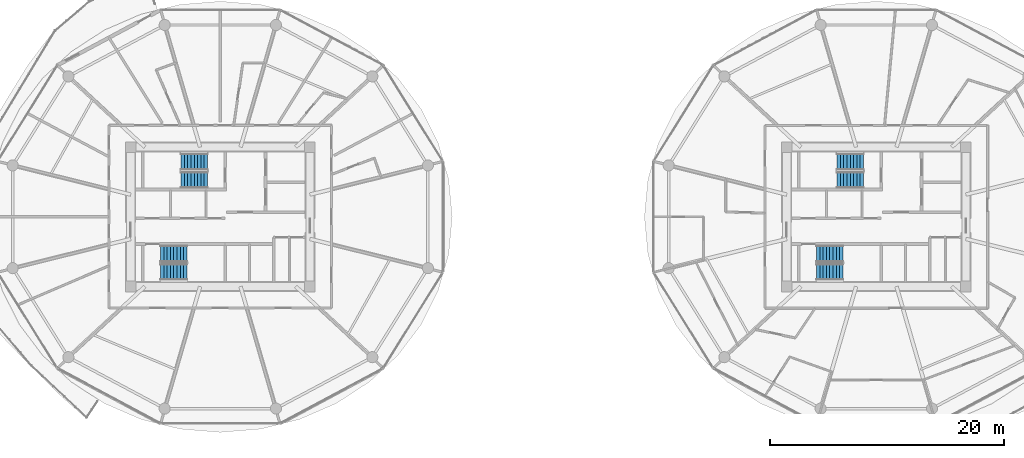
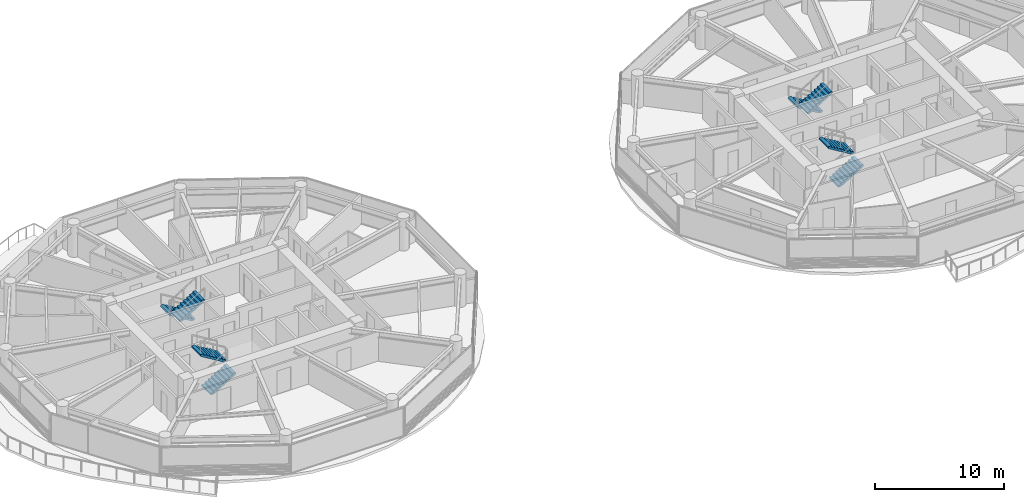
# One storey, part 22 of 27: 8 stair flights, 4 elements without a shape of their own.
"""IFC4 building model written with IfcOpenShell, lengths in metres."""

from ifc_helpers import new_model, si_unit, direction, frame, origin, place, context, subcontext, project, spatial, polyline, outline, extrude, material, type_object, element, aggregate, save


model = new_model("IFC4")

# Units and contexts
model_context = context("Model", 3, precision=1e-05, world=origin(), true_north=direction((0.0, 1.0)))
body_context = subcontext(model_context, "Body", "Model", "MODEL_VIEW")
ifc_project = project(units=[si_unit("LENGTHUNIT", "METRE"), si_unit("AREAUNIT", "SQUARE_METRE"), si_unit("VOLUMEUNIT", "CUBIC_METRE"), si_unit("PLANEANGLEUNIT", "RADIAN"), si_unit("MASSUNIT", "GRAM", prefix="KILO")], contexts=[model_context])

# Site, building, storey
site_placement = place(None, origin())
site = spatial("IfcSite", under=ifc_project, at=site_placement, CompositionType="ELEMENT")
building_placement = place(site_placement, origin())
building = spatial("IfcBuilding", under=site, at=building_placement, Name="Norrkilde Senior Care Towers", CompositionType="ELEMENT")
storey_placement = place(building_placement, frame((0.0, 0.0, 33.800048828125)))
storey = spatial("IfcBuildingStorey", under=building, at=storey_placement, Name="L09", CompositionType="ELEMENT", Elevation=33.800048828125)

# Stair, stair flights
ifc_material = material(Name="Concrete C45/55", Category="concrete")
stair_type = type_object("IfcStairType", Name="Core Protected Dogleg Stair Typical 3050", PredefinedType="HALF_TURN_STAIR", material=ifc_material)
stair_1_placement = place(storey_placement, origin())
stair_1 = element("IfcStair", 1, at=stair_1_placement, inside=storey, type_object=stair_type, Name="L09 Protected Core Stair W1", PredefinedType="HALF_TURN_STAIR")
stair_flight_type = type_object("IfcStairFlightType", Name="Core Protected Dogleg Stair Typical 3050 Flight", PredefinedType="STRAIGHT", material=ifc_material)
stair_flight_1_placement = place(storey_placement, frame((-29.10009765625, 4.699951171875, 0.0), z_axis=(0.0, 0.0, 1.0), x_axis=(-1.0, 0.0, 0.0)))
stair_flight_1 = element("IfcStairFlight", 2, at=stair_flight_1_placement, type_object=stair_flight_type, Name="ST-W1 flight 1", NumberOfRisers=9, NumberOfTreads=8, PredefinedType="STRAIGHT", RiserHeight=0.169444444, TreadLength=0.28, context=body_context, shape_type="SweptSolid", body=[
    extrude(outline(polyline([(0.0, 0.0), (0.0, 0.16943359375), (0.280029296875, 0.16943359375), (0.280029296875, 0.3388671875), (0.56005859375, 0.3388671875), (0.56005859375, 0.50830078125), (0.840087890625, 0.50830078125), (0.840087890625, 0.677734375), (1.1201171875, 0.677734375), (1.1201171875, 0.84716796875), (1.39990234375, 0.84716796875), (1.39990234375, 1.0166015625), (1.679931640625, 1.0166015625), (1.679931640625, 1.18603515625), (1.9599609375, 1.18603515625), (1.9599609375, 1.35546875), (2.239990234375, 1.35546875), (2.239990234375, 1.52490234375), (2.239990234375, 1.180419921875), (0.28955078125, 0.0), (0.0, 0.0)])), frame((0.0, 0.699951171875, 0.0), z_axis=(0.0, -1.0, 0.0), x_axis=(1.0, 0.0, 0.0)), (0.0, 0.0, 1.0), 1.39990234375),
])
stair_flight_2_placement = place(storey_placement, frame((-31.340087890625, 3.14990234375, 1.52490234375), z_axis=(0.0, 0.0, 1.0), x_axis=(1.0, 0.0, 0.0)))
stair_flight_2 = element("IfcStairFlight", 3, at=stair_flight_2_placement, type_object=stair_flight_type, Name="ST-W1 flight 2", NumberOfRisers=9, NumberOfTreads=8, PredefinedType="STRAIGHT", RiserHeight=0.169444444, TreadLength=0.28, context=body_context, shape_type="SweptSolid", body=[
    extrude(outline(polyline([(0.0, 0.0), (0.0, 0.16943359375), (0.280029296875, 0.16943359375), (0.280029296875, 0.3388671875), (0.56005859375, 0.3388671875), (0.56005859375, 0.50830078125), (0.840087890625, 0.50830078125), (0.840087890625, 0.677734375), (1.1201171875, 0.677734375), (1.1201171875, 0.84716796875), (1.39990234375, 0.84716796875), (1.39990234375, 1.0166015625), (1.679931640625, 1.0166015625), (1.679931640625, 1.18603515625), (1.9599609375, 1.18603515625), (1.9599609375, 1.35546875), (2.239990234375, 1.35546875), (2.239990234375, 1.52490234375), (2.239990234375, 1.180419921875), (0.28955078125, 0.0), (0.0, 0.0)])), frame((0.0, 0.699951171875, 0.0), z_axis=(0.0, -1.0, 0.0), x_axis=(1.0, 0.0, 0.0)), (0.0, 0.0, 1.0), 1.39990234375),
])
aggregate(stair_1, [stair_flight_1, stair_flight_2])

stair_2_placement = place(storey_placement, origin())
stair_2 = element("IfcStair", 4, at=stair_2_placement, inside=storey, type_object=stair_type, Name="L09 Protected Core Stair W2", PredefinedType="HALF_TURN_STAIR")
stair_flight_3_placement = place(storey_placement, frame((-33.10009765625, -4.699951171875, 0.0), z_axis=(0.0, 0.0, 1.0), x_axis=(1.0, 0.0, 0.0)))
stair_flight_3 = element("IfcStairFlight", 5, at=stair_flight_3_placement, type_object=stair_flight_type, Name="ST-W2 flight 1", NumberOfRisers=9, NumberOfTreads=8, PredefinedType="STRAIGHT", RiserHeight=0.169444444, TreadLength=0.28, context=body_context, shape_type="SweptSolid", body=[
    extrude(outline(polyline([(0.0, 0.0), (0.0, 0.16943359375), (0.280029296875, 0.16943359375), (0.280029296875, 0.3388671875), (0.56005859375, 0.3388671875), (0.56005859375, 0.50830078125), (0.840087890625, 0.50830078125), (0.840087890625, 0.677734375), (1.1201171875, 0.677734375), (1.1201171875, 0.84716796875), (1.39990234375, 0.84716796875), (1.39990234375, 1.0166015625), (1.679931640625, 1.0166015625), (1.679931640625, 1.18603515625), (1.9599609375, 1.18603515625), (1.9599609375, 1.35546875), (2.239990234375, 1.35546875), (2.239990234375, 1.52490234375), (2.239990234375, 1.180419921875), (0.28955078125, 0.0), (0.0, 0.0)])), frame((0.0, 0.699951171875, 0.0), z_axis=(0.0, -1.0, 0.0), x_axis=(1.0, 0.0, 0.0)), (0.0, 0.0, 1.0), 1.39990234375),
])
stair_flight_4_placement = place(storey_placement, frame((-30.860107421875, -3.14990234375, 1.52490234375), z_axis=(0.0, 0.0, 1.0), x_axis=(-1.0, 0.0, 0.0)))
stair_flight_4 = element("IfcStairFlight", 6, at=stair_flight_4_placement, type_object=stair_flight_type, Name="ST-W2 flight 2", NumberOfRisers=9, NumberOfTreads=8, PredefinedType="STRAIGHT", RiserHeight=0.169444444, TreadLength=0.28, context=body_context, shape_type="SweptSolid", body=[
    extrude(outline(polyline([(0.0, 0.0), (0.0, 0.16943359375), (0.280029296875, 0.16943359375), (0.280029296875, 0.3388671875), (0.56005859375, 0.3388671875), (0.56005859375, 0.50830078125), (0.840087890625, 0.50830078125), (0.840087890625, 0.677734375), (1.1201171875, 0.677734375), (1.1201171875, 0.84716796875), (1.39990234375, 0.84716796875), (1.39990234375, 1.0166015625), (1.679931640625, 1.0166015625), (1.679931640625, 1.18603515625), (1.9599609375, 1.18603515625), (1.9599609375, 1.35546875), (2.239990234375, 1.35546875), (2.239990234375, 1.52490234375), (2.239990234375, 1.180419921875), (0.28955078125, 0.0), (0.0, 0.0)])), frame((0.0, 0.699951171875, 0.0), z_axis=(0.0, -1.0, 0.0), x_axis=(1.0, 0.0, 0.0)), (0.0, 0.0, 1.0), 1.39990234375),
])
aggregate(stair_2, [stair_flight_3, stair_flight_4])

stair_3_placement = place(storey_placement, origin())
stair_3 = element("IfcStair", 7, at=stair_3_placement, inside=storey, type_object=stair_type, Name="L09 Protected Core Stair E1", PredefinedType="HALF_TURN_STAIR")
stair_flight_5_placement = place(storey_placement, frame((26.89990234375, 4.699951171875, 0.0), z_axis=(0.0, 0.0, 1.0), x_axis=(-1.0, 0.0, 0.0)))
stair_flight_5 = element("IfcStairFlight", 8, at=stair_flight_5_placement, type_object=stair_flight_type, Name="ST-E1 flight 1", NumberOfRisers=9, NumberOfTreads=8, PredefinedType="STRAIGHT", RiserHeight=0.169444444, TreadLength=0.28, context=body_context, shape_type="SweptSolid", body=[
    extrude(outline(polyline([(0.0, 0.0), (0.0, 0.16943359375), (0.280029296875, 0.16943359375), (0.280029296875, 0.3388671875), (0.56005859375, 0.3388671875), (0.56005859375, 0.50830078125), (0.840087890625, 0.50830078125), (0.840087890625, 0.677734375), (1.1201171875, 0.677734375), (1.1201171875, 0.84716796875), (1.39990234375, 0.84716796875), (1.39990234375, 1.0166015625), (1.679931640625, 1.0166015625), (1.679931640625, 1.18603515625), (1.9599609375, 1.18603515625), (1.9599609375, 1.35546875), (2.239990234375, 1.35546875), (2.239990234375, 1.52490234375), (2.239990234375, 1.180419921875), (0.28955078125, 0.0), (0.0, 0.0)])), frame((0.0, 0.699951171875, 0.0), z_axis=(0.0, -1.0, 0.0), x_axis=(1.0, 0.0, 0.0)), (0.0, 0.0, 1.0), 1.39990234375),
])
stair_flight_6_placement = place(storey_placement, frame((24.659912109375, 3.14990234375, 1.52490234375), z_axis=(0.0, 0.0, 1.0), x_axis=(1.0, 0.0, 0.0)))
stair_flight_6 = element("IfcStairFlight", 9, at=stair_flight_6_placement, type_object=stair_flight_type, Name="ST-E1 flight 2", NumberOfRisers=9, NumberOfTreads=8, PredefinedType="STRAIGHT", RiserHeight=0.169444444, TreadLength=0.28, context=body_context, shape_type="SweptSolid", body=[
    extrude(outline(polyline([(0.0, 0.0), (0.0, 0.16943359375), (0.280029296875, 0.16943359375), (0.280029296875, 0.3388671875), (0.56005859375, 0.3388671875), (0.56005859375, 0.50830078125), (0.840087890625, 0.50830078125), (0.840087890625, 0.677734375), (1.1201171875, 0.677734375), (1.1201171875, 0.84716796875), (1.39990234375, 0.84716796875), (1.39990234375, 1.0166015625), (1.679931640625, 1.0166015625), (1.679931640625, 1.18603515625), (1.9599609375, 1.18603515625), (1.9599609375, 1.35546875), (2.239990234375, 1.35546875), (2.239990234375, 1.52490234375), (2.239990234375, 1.180419921875), (0.28955078125, 0.0), (0.0, 0.0)])), frame((0.0, 0.699951171875, 0.0), z_axis=(0.0, -1.0, 0.0), x_axis=(1.0, 0.0, 0.0)), (0.0, 0.0, 1.0), 1.39990234375),
])
aggregate(stair_3, [stair_flight_5, stair_flight_6])

stair_4_placement = place(storey_placement, origin())
stair_4 = element("IfcStair", 10, at=stair_4_placement, inside=storey, type_object=stair_type, Name="L09 Protected Core Stair E2", PredefinedType="HALF_TURN_STAIR")
stair_flight_7_placement = place(storey_placement, frame((22.89990234375, -4.699951171875, 0.0), z_axis=(0.0, 0.0, 1.0), x_axis=(1.0, 0.0, 0.0)))
stair_flight_7 = element("IfcStairFlight", 11, at=stair_flight_7_placement, type_object=stair_flight_type, Name="ST-E2 flight 1", NumberOfRisers=9, NumberOfTreads=8, PredefinedType="STRAIGHT", RiserHeight=0.169444444, TreadLength=0.28, context=body_context, shape_type="SweptSolid", body=[
    extrude(outline(polyline([(0.0, 0.0), (0.0, 0.16943359375), (0.280029296875, 0.16943359375), (0.280029296875, 0.3388671875), (0.56005859375, 0.3388671875), (0.56005859375, 0.50830078125), (0.840087890625, 0.50830078125), (0.840087890625, 0.677734375), (1.1201171875, 0.677734375), (1.1201171875, 0.84716796875), (1.39990234375, 0.84716796875), (1.39990234375, 1.0166015625), (1.679931640625, 1.0166015625), (1.679931640625, 1.18603515625), (1.9599609375, 1.18603515625), (1.9599609375, 1.35546875), (2.239990234375, 1.35546875), (2.239990234375, 1.52490234375), (2.239990234375, 1.180419921875), (0.28955078125, 0.0), (0.0, 0.0)])), frame((0.0, 0.699951171875, 0.0), z_axis=(0.0, -1.0, 0.0), x_axis=(1.0, 0.0, 0.0)), (0.0, 0.0, 1.0), 1.39990234375),
])
stair_flight_8_placement = place(storey_placement, frame((25.139892578125, -3.14990234375, 1.52490234375), z_axis=(0.0, 0.0, 1.0), x_axis=(-1.0, 0.0, 0.0)))
stair_flight_8 = element("IfcStairFlight", 12, at=stair_flight_8_placement, type_object=stair_flight_type, Name="ST-E2 flight 2", NumberOfRisers=9, NumberOfTreads=8, PredefinedType="STRAIGHT", RiserHeight=0.169444444, TreadLength=0.28, context=body_context, shape_type="SweptSolid", body=[
    extrude(outline(polyline([(0.0, 0.0), (0.0, 0.16943359375), (0.280029296875, 0.16943359375), (0.280029296875, 0.3388671875), (0.56005859375, 0.3388671875), (0.56005859375, 0.50830078125), (0.840087890625, 0.50830078125), (0.840087890625, 0.677734375), (1.1201171875, 0.677734375), (1.1201171875, 0.84716796875), (1.39990234375, 0.84716796875), (1.39990234375, 1.0166015625), (1.679931640625, 1.0166015625), (1.679931640625, 1.18603515625), (1.9599609375, 1.18603515625), (1.9599609375, 1.35546875), (2.239990234375, 1.35546875), (2.239990234375, 1.52490234375), (2.239990234375, 1.180419921875), (0.28955078125, 0.0), (0.0, 0.0)])), frame((0.0, 0.699951171875, 0.0), z_axis=(0.0, -1.0, 0.0), x_axis=(1.0, 0.0, 0.0)), (0.0, 0.0, 1.0), 1.39990234375),
])
aggregate(stair_4, [stair_flight_7, stair_flight_8])

save(model, "model.ifc")
